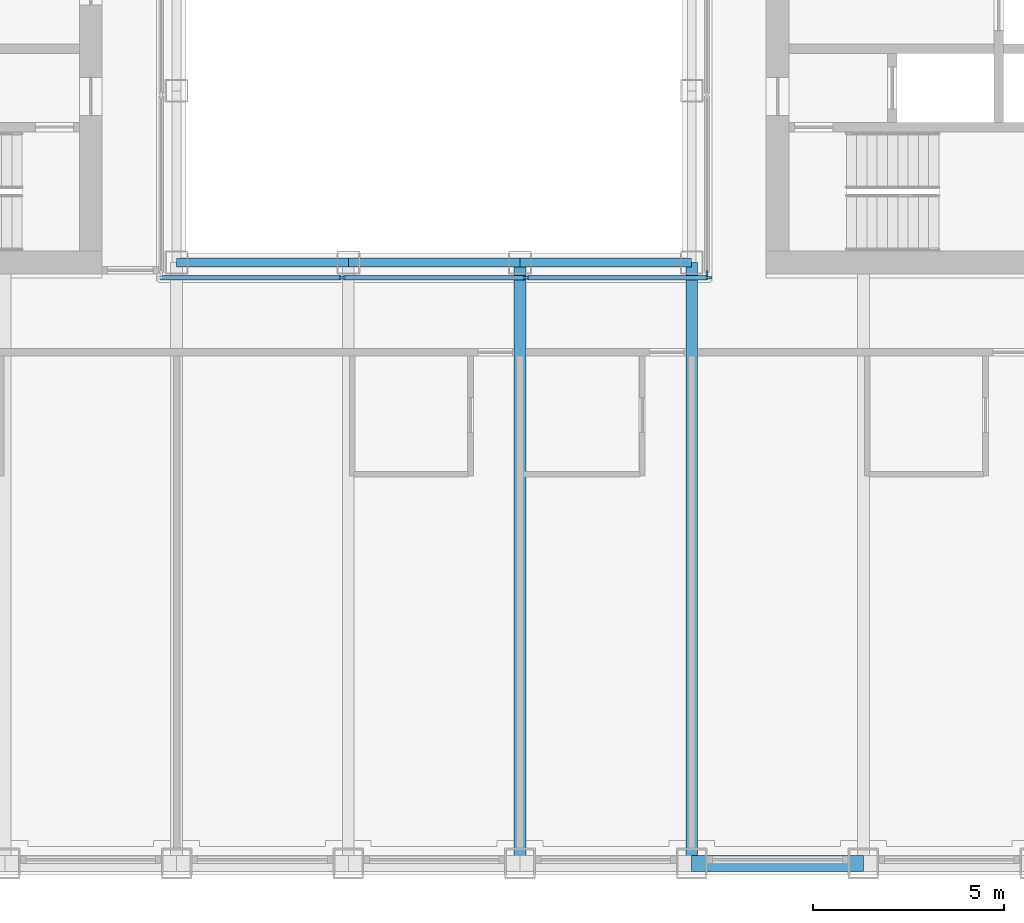
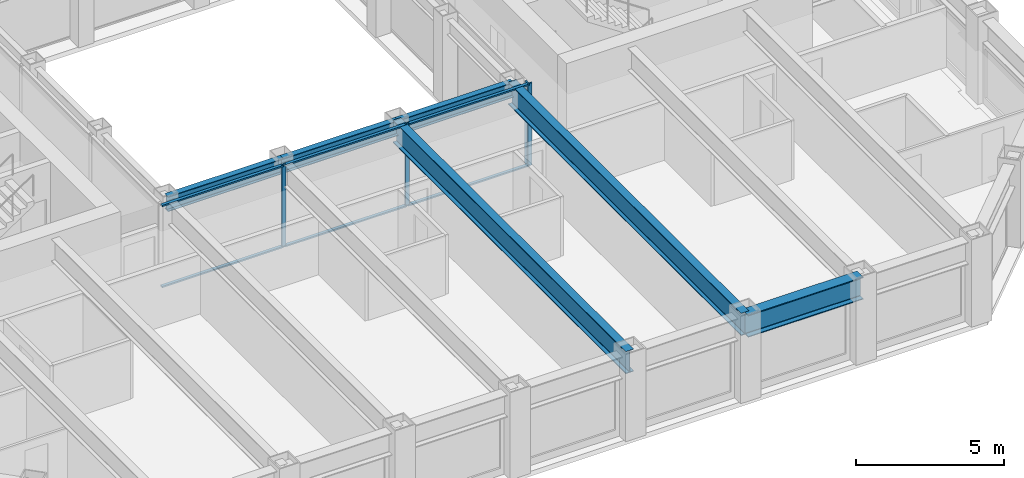
# One storey, part 3 of 17: 10 members, 6 beams, 2 elements without a shape of their own.
"""IFC4 building model written with IfcOpenShell, lengths in metres."""

import ifcopenshell
import ifcopenshell.guid

model = None  # the IFC model being written
_history = None  # IfcOwnerHistory: only IFC2X3 demands one
_inside = {}  # id of a spatial element -> (the spatial element, [elements in it])
_under = {}  # id of a project, library or spatial element -> (it, [spatial elements below it])
_declared = {}  # id of a project -> (the project, [libraries it declares])
_typed = {}  # id of a type object -> (the type object, [elements of that type])
_made_of = {}  # id of a material, layer set ... -> (it, [elements and type objects made of it])


def new_model(schema):
    """Start an empty IFC model of exactly this schema.

    Asked for "IFC4X3", IfcOpenShell would pick the latest addendum, in which some entities
    have other attributes; the version numbers below select the first issue.
    IFC2X3 requires an IfcOwnerHistory on every rooted entity: one is made here for all.
    """
    global model, _history
    if schema == "IFC4X3":
        model = ifcopenshell.file(schema_version=(4, 3, 0, 0))
    else:
        model = ifcopenshell.file(schema=schema)
    _inside.clear()
    _under.clear()
    _declared.clear()
    _typed.clear()
    _made_of.clear()
    _history = None
    if model.schema == "IFC2X3":
        org = make("IfcOrganization", Name="unknown")
        user = make(
            "IfcPersonAndOrganization",
            ThePerson=make("IfcPerson", FamilyName="unknown"),
            TheOrganization=org,
        )
        app = make(
            "IfcApplication",
            ApplicationDeveloper=org,
            Version="unknown",
            ApplicationFullName="unknown",
            ApplicationIdentifier="unknown",
        )
        _history = make(
            "IfcOwnerHistory",
            OwningUser=user,
            OwningApplication=app,
            ChangeAction="ADDED",
            CreationDate=0,
        )
    return model


def make(cls, **values):
    """One entity of the class cls with the attributes given. An attribute that is None is left unset."""
    return model.create_entity(
        cls, **{name: value for name, value in values.items() if value is not None}
    )


def rooted(cls, **values):
    """An entity with a GlobalId (a new one), such as an element, a storey or a relation."""
    return make(cls, GlobalId=ifcopenshell.guid.new(), OwnerHistory=_history, **values)


def si_unit(unit_type, name, prefix=None):
    """IfcSIUnit, for example si_unit("LENGTHUNIT", "METRE", prefix="MILLI")."""
    return make("IfcSIUnit", UnitType=unit_type, Prefix=prefix, Name=name)


def assignment(units):
    """IfcUnitAssignment: the units of a project."""
    return None if units is None else make("IfcUnitAssignment", Units=units)


def point(xyz):
    """IfcCartesianPoint."""
    return None if xyz is None else make("IfcCartesianPoint", Coordinates=xyz)


def direction(xyz):
    """IfcDirection."""
    return None if xyz is None else make("IfcDirection", DirectionRatios=xyz)


def frame(location, z_axis=None, x_axis=None):
    """IfcAxis2Placement3D, a coordinate frame: its origin and axes. An axis left out is left unset."""
    return make(
        "IfcAxis2Placement3D",
        Location=point(location),
        Axis=direction(z_axis),
        RefDirection=direction(x_axis),
    )


def frame_2d(location, x_axis=None):
    """IfcAxis2Placement2D, a coordinate frame in the plane: its origin and x axis."""
    return make(
        "IfcAxis2Placement2D", Location=point(location), RefDirection=direction(x_axis)
    )


def origin():
    """The frame at (0, 0, 0) with its axes left unset."""
    return frame((0.0, 0.0, 0.0))


def origin_2d():
    """The frame at (0, 0) in the plane with its x axis left unset."""
    return frame_2d((0.0, 0.0))


def place(relative_to, where):
    """IfcLocalPlacement: puts the frame where relative to a parent placement (None: the world)."""
    return make(
        "IfcLocalPlacement", PlacementRelTo=relative_to, RelativePlacement=where
    )


def context(
    kind, dimensions, precision=None, world=None, true_north=None, identifier=None
):
    """IfcGeometricRepresentationContext, for example the 3D "Model" context."""
    return make(
        "IfcGeometricRepresentationContext",
        ContextIdentifier=identifier,
        ContextType=kind,
        CoordinateSpaceDimension=dimensions,
        Precision=precision,
        WorldCoordinateSystem=world,
        TrueNorth=true_north,
    )


def subcontext(parent, identifier, kind, view, scale=None):
    """IfcGeometricRepresentationSubContext, for example "Body" below "Model"."""
    return make(
        "IfcGeometricRepresentationSubContext",
        ContextIdentifier=identifier,
        ContextType=kind,
        ParentContext=parent,
        TargetScale=scale,
        TargetView=view,
    )


def project(units=None, contexts=None):
    """IfcProject with its units and contexts."""
    return rooted(
        "IfcProject",
        Name="project",
        RepresentationContexts=contexts,
        UnitsInContext=assignment(units),
    )


def spatial(cls, under=None, at=None, **own):
    """A site, building, storey or space (cls), placed at a placement, below another one or the project."""
    s = rooted(cls, ObjectPlacement=at, **own)
    if under is not None:
        _under.setdefault(under.id(), (under, []))[1].append(s)
    return s


def profile(cls, at=None, kind="AREA", **sizes):
    """A parametric profile (cls). Its sizes go by their IFC names, for example OverallWidth=200.0."""
    return make(cls, ProfileType=kind, Position=at, **sizes)


def rectangle(**sizes):
    """IfcRectangleProfileDef."""
    return profile("IfcRectangleProfileDef", **sizes)


def i_section(**sizes):
    """IfcIShapeProfileDef."""
    return profile("IfcIShapeProfileDef", **sizes)


def extrude(swept, where, along, depth):
    """IfcExtrudedAreaSolid: the profile swept, set in the frame where, extruded along a direction by depth."""
    return make(
        "IfcExtrudedAreaSolid",
        SweptArea=swept,
        Position=where,
        ExtrudedDirection=direction(along),
        Depth=depth,
    )


def shape(context_of_items, identifier, shape_type, items):
    """IfcShapeRepresentation: the items that make up one representation, for example the "Body"."""
    return make(
        "IfcShapeRepresentation",
        ContextOfItems=context_of_items,
        RepresentationIdentifier=identifier,
        RepresentationType=shape_type,
        Items=items,
    )


def material(Name=None, Category=None):
    """IfcMaterial."""
    return make("IfcMaterial", Name=Name, Category=Category)


def material_profile(
    of_material, cross_section, Name=None, Category=None, Priority=None
):
    """IfcMaterialProfile: a cross section and its material."""
    return make(
        "IfcMaterialProfile",
        Name=Name,
        Material=of_material,
        Profile=cross_section,
        Priority=Priority,
        Category=Category,
    )


def profile_set(profiles, Name=None, composite=None):
    """IfcMaterialProfileSet."""
    return make(
        "IfcMaterialProfileSet",
        Name=Name,
        MaterialProfiles=profiles,
        CompositeProfile=composite,
    )


def made_of(thing, what):
    """Note that an element or type object is made of a material, layer set ...; save() writes the relation."""
    if what is not None:
        _made_of.setdefault(what.id(), (what, []))[1].append(thing)
    return thing


def type_object(cls, material=None, **own):
    """A type object (cls), such as IfcWallType, which elements share."""
    return made_of(rooted(cls, **own), material)


def element(
    cls,
    number,
    at=None,
    inside=None,
    cuts=None,
    type_object=None,
    material=None,
    context=None,
    identifier="Body",
    shape_type=None,
    held_by="IfcProductDefinitionShape",
    body=None,
    shapes=None,
    **own,
):
    """One element of the class cls, such as IfcWall. Its Tag is "e" and its number.

    at: its placement. inside: the storey or other place that contains it. cuts: it is an
    opening in that element (IfcRelVoidsElement). A single representation is given by context,
    identifier, shape_type and body (its items); several are given by shapes. held_by: the class
    of the entity that holds the representations. save() writes the other relations.
    """
    e = rooted(cls, Tag="e%d" % number, ObjectPlacement=at, **own)
    if body is not None:
        shapes = [shape(context, identifier, shape_type, body)]
    if shapes is not None:
        e.Representation = make(held_by, Representations=shapes)
    if inside is not None:
        _inside.setdefault(inside.id(), (inside, []))[1].append(e)
    if cuts is not None:
        rooted(
            "IfcRelVoidsElement", RelatingBuildingElement=cuts, RelatedOpeningElement=e
        )
    if type_object is not None:
        _typed.setdefault(type_object.id(), (type_object, []))[1].append(e)
    return made_of(e, material)


def aggregate(whole, parts):
    """IfcRelAggregates: a whole, such as a stair, and the parts it consists of."""
    return rooted("IfcRelAggregates", RelatingObject=whole, RelatedObjects=parts)


def save(model, path):
    """Write the relations noted so far, then the file.

    IfcRelAggregates (storeys below a building ...), IfcRelContainedInSpatialStructure (elements
    in a storey), IfcRelDefinesByType, IfcRelAssociatesMaterial and IfcRelDeclares: one each for
    every whole, place, type object, material and project.
    """
    for whole, parts in _under.values():
        aggregate(whole, parts)
    for where, things in _inside.values():
        rooted(
            "IfcRelContainedInSpatialStructure",
            RelatedElements=things,
            RelatingStructure=where,
        )
    for kind, things in _typed.values():
        rooted("IfcRelDefinesByType", RelatedObjects=things, RelatingType=kind)
    for what, things in _made_of.values():
        rooted("IfcRelAssociatesMaterial", RelatedObjects=things, RelatingMaterial=what)
    for by, libraries in _declared.values():
        rooted("IfcRelDeclares", RelatingContext=by, RelatedDefinitions=libraries)
    model.write(path)


model = new_model("IFC4")

# Units and contexts
model_context = context("Model", 3, precision=1e-05, world=origin(), true_north=direction((0.0, 1.0)))
body_context = subcontext(model_context, "Body", "Model", "MODEL_VIEW")
ifc_project = project(units=[si_unit("LENGTHUNIT", "METRE"), si_unit("AREAUNIT", "SQUARE_METRE"), si_unit("VOLUMEUNIT", "CUBIC_METRE"), si_unit("PLANEANGLEUNIT", "RADIAN"), si_unit("MASSUNIT", "GRAM", prefix="KILO")], contexts=[model_context])

# Site, building, storey
site_placement = place(None, origin())
site = spatial("IfcSite", under=ifc_project, at=site_placement, CompositionType="ELEMENT")
building_placement = place(site_placement, origin())
building = spatial("IfcBuilding", under=site, at=building_placement, Name="Msasa Ring Tower", CompositionType="ELEMENT")
storey_placement = place(building_placement, frame((0.0, 0.0, 168.800048828125)))
storey = spatial("IfcBuildingStorey", under=building, at=storey_placement, Name="L44", CompositionType="ELEMENT", Elevation=168.800048828125)

# Curtain wall, members
ifc_material_1 = material(Name="Aluminium curtain wall with clear glass", Category="aluminium")
curtain_wall_type = type_object("IfcCurtainWallType", Name="CW-W LIGHT WELL CURTAIN WALL", PredefinedType="NOTDEFINED", material=ifc_material_1)
curtain_wall_1_placement = place(storey_placement, origin())
curtain_wall_1 = element("IfcCurtainWall", 1, at=curtain_wall_1_placement, inside=storey, type_object=curtain_wall_type, Name="Light well curtain wall S L44", PredefinedType="NOTDEFINED")
ifc_material_2 = material(Name="Aluminium mullion", Category="aluminium")
ifc_material_profile_1 = material_profile(ifc_material_2, rectangle(XDim=0.06005859375, YDim=0.159912109375, at=origin_2d()), Name="AL 60x160")
ifc_profile_set_1 = profile_set([ifc_material_profile_1], Name="Aluminium mullion")
member_type_1 = type_object("IfcMemberType", Name="CW-W MULLION 60x160", PredefinedType="MULLION", material=ifc_profile_set_1)
member_1_placement = place(storey_placement, frame((-2.409912109375, -7.14990234375, 0.0), z_axis=(0.0, 0.0, 1.0), x_axis=(0.0, 1.0, 0.0)))
member_1 = element("IfcMember", 2, at=member_1_placement, type_object=member_type_1, Name="CW-W mullion 2", PredefinedType="MULLION", context=body_context, shape_type="SweptSolid", body=[
    extrude(rectangle(XDim=0.06005859375, YDim=0.159912109375, at=origin_2d()), origin(), (0.0, 0.0, 1.0), 3.39990234375),
])
member_2_placement = place(storey_placement, frame((2.409912109375, -7.14990234375, 0.0), z_axis=(0.0, 0.0, 1.0), x_axis=(0.0, 1.0, 0.0)))
member_2 = element("IfcMember", 3, at=member_2_placement, type_object=member_type_1, Name="CW-W mullion 3", PredefinedType="MULLION", context=body_context, shape_type="SweptSolid", body=[
    extrude(rectangle(XDim=0.06005859375, YDim=0.159912109375, at=origin_2d()), origin(), (0.0, 0.0, 1.0), 3.39990234375),
])
member_3_placement = place(storey_placement, frame((7.199951171875, -7.14990234375, 0.0), z_axis=(0.0, 0.0, 1.0), x_axis=(0.0, 1.0, 0.0)))
member_3 = element("IfcMember", 4, at=member_3_placement, type_object=member_type_1, Name="CW-W mullion 4", PredefinedType="MULLION", context=body_context, shape_type="SweptSolid", body=[
    extrude(rectangle(XDim=0.06005859375, YDim=0.159912109375, at=origin_2d()), origin(), (0.0, 0.0, 1.0), 3.39990234375),
])

# Curtain wall, member
curtain_wall_2_placement = place(storey_placement, origin())
curtain_wall_2 = element("IfcCurtainWall", 5, at=curtain_wall_2_placement, inside=storey, type_object=curtain_wall_type, Name="Light well curtain wall E L44", PredefinedType="NOTDEFINED")
member_4_placement = place(storey_placement, frame((7.14990234375, -7.0400390625, 0.0), z_axis=(0.0, 0.0, 1.0), x_axis=(-1.0, 0.0, 0.0)))
member_4 = element("IfcMember", 6, at=member_4_placement, type_object=member_type_1, Name="CW-W mullion 1", PredefinedType="MULLION", context=body_context, shape_type="SweptSolid", body=[
    extrude(rectangle(XDim=0.06005859375, YDim=0.159912109375, at=origin_2d()), origin(), (0.0, 0.0, 1.0), 3.39990234375),
])
aggregate(curtain_wall_2, [member_4])

# Member
ifc_material_3 = material(Name="Aluminium transom", Category="aluminium")
ifc_material_profile_2 = material_profile(ifc_material_3, rectangle(XDim=0.1201171875, YDim=0.06005859375, at=origin_2d()), Name="AL 60x120")
ifc_profile_set_2 = profile_set([ifc_material_profile_2], Name="Aluminium transom")
member_type_2 = type_object("IfcMemberType", Name="CW-W TRANSOM 60x120", PredefinedType="USERDEFINED", material=ifc_profile_set_2)
member_5_placement = place(storey_placement, frame((-7.169921875, -7.14990234375, 0.030029296875), z_axis=(1.0, 0.0, 0.0), x_axis=(0.0, 1.0, 0.0)))
member_5 = element("IfcMember", 7, at=member_5_placement, type_object=member_type_2, Name="CW-W transom 1.1", ObjectType="TRANSOM", PredefinedType="USERDEFINED", context=body_context, shape_type="SweptSolid", body=[
    extrude(rectangle(XDim=0.1201171875, YDim=0.06005859375, at=origin_2d()), origin(), (0.0, 0.0, 1.0), 4.72998046875),
])

member_6_placement = place(storey_placement, frame((-7.169921875, -7.14990234375, 3.369873046875), z_axis=(1.0, 0.0, 0.0), x_axis=(0.0, 1.0, 0.0)))
member_6 = element("IfcMember", 8, at=member_6_placement, type_object=member_type_2, Name="CW-W transom 1.2", ObjectType="TRANSOM", PredefinedType="USERDEFINED", context=body_context, shape_type="SweptSolid", body=[
    extrude(rectangle(XDim=0.1201171875, YDim=0.06005859375, at=origin_2d()), origin(), (0.0, 0.0, 1.0), 4.72998046875),
])

member_7_placement = place(storey_placement, frame((-2.3798828125, -7.14990234375, 0.030029296875), z_axis=(1.0, 0.0, 0.0), x_axis=(0.0, 1.0, 0.0)))
member_7 = element("IfcMember", 9, at=member_7_placement, type_object=member_type_2, Name="CW-W transom 2.1", ObjectType="TRANSOM", PredefinedType="USERDEFINED", context=body_context, shape_type="SweptSolid", body=[
    extrude(rectangle(XDim=0.1201171875, YDim=0.06005859375, at=origin_2d()), origin(), (0.0, 0.0, 1.0), 4.759765625),
])

member_8_placement = place(storey_placement, frame((-2.3798828125, -7.14990234375, 3.369873046875), z_axis=(1.0, 0.0, 0.0), x_axis=(0.0, 1.0, 0.0)))
member_8 = element("IfcMember", 10, at=member_8_placement, type_object=member_type_2, Name="CW-W transom 2.2", ObjectType="TRANSOM", PredefinedType="USERDEFINED", context=body_context, shape_type="SweptSolid", body=[
    extrude(rectangle(XDim=0.1201171875, YDim=0.06005859375, at=origin_2d()), origin(), (0.0, 0.0, 1.0), 4.759765625),
])

member_9_placement = place(storey_placement, frame((2.43994140625, -7.14990234375, 0.030029296875), z_axis=(1.0, 0.0, 0.0), x_axis=(0.0, 1.0, 0.0)))
member_9 = element("IfcMember", 11, at=member_9_placement, type_object=member_type_2, Name="CW-W transom 3.1", ObjectType="TRANSOM", PredefinedType="USERDEFINED", context=body_context, shape_type="SweptSolid", body=[
    extrude(rectangle(XDim=0.1201171875, YDim=0.06005859375, at=origin_2d()), origin(), (0.0, 0.0, 1.0), 4.72998046875),
])

member_10_placement = place(storey_placement, frame((2.43994140625, -7.14990234375, 3.369873046875), z_axis=(1.0, 0.0, 0.0), x_axis=(0.0, 1.0, 0.0)))
member_10 = element("IfcMember", 12, at=member_10_placement, type_object=member_type_2, Name="CW-W transom 3.2", ObjectType="TRANSOM", PredefinedType="USERDEFINED", context=body_context, shape_type="SweptSolid", body=[
    extrude(rectangle(XDim=0.1201171875, YDim=0.06005859375, at=origin_2d()), origin(), (0.0, 0.0, 1.0), 4.72998046875),
])

aggregate(curtain_wall_1, [member_1, member_2, member_3, member_5, member_6, member_7, member_8, member_9, member_10])

# Beams
ifc_material_4 = material(Name="Steel S355", Category="steel")
ifc_material_profile_3 = material_profile(ifc_material_4, i_section(OverallWidth=0.3076171875, OverallDepth=0.926513671875, WebThickness=0.01953125, FlangeThickness=0.031982421875, FilletRadius=0.01904296875, at=origin_2d()), Name="UB 914x305x289")
ifc_profile_set_3 = profile_set([ifc_material_profile_3], Name="Steel S355")
beam_type_1 = type_object("IfcBeamType", Name="FB3 UB 914x305x289", PredefinedType="BEAM", material=ifc_profile_set_3)
for number, where, z_axis, x_axis, name in (
    (13, (2.25, -22.5, 2.936767578125), (0.0, 1.0, 0.0), (-1.0, 0.0, 0.0), "Floor beam S+2.25 under L45"),
    (14, (6.75, -22.5, 2.936767578125), (0.0, 1.0, 0.0), (-1.0, 0.0, 0.0), "Floor beam S+6.75 under L45"),
):
    element("IfcBeam", number, at=place(storey_placement, frame(where, z_axis=z_axis, x_axis=x_axis)), inside=storey, type_object=beam_type_1, Name=name, PredefinedType="BEAM", context=body_context, shape_type="SweptSolid", body=[
        extrude(i_section(OverallWidth=0.3076171875, OverallDepth=0.926513671875, WebThickness=0.01953125, FlangeThickness=0.031982421875, FilletRadius=0.01904296875, at=origin_2d()), origin(), (0.0, 0.0, 1.0), 15.75),
    ])
ifc_material_5 = material(Name="Steel S355", Category="steel")
ifc_material_profile_4 = material_profile(ifc_material_5, i_section(OverallWidth=0.230224609375, OverallDepth=0.6171875, WebThickness=0.01318359375, FlangeThickness=0.022216796875, FilletRadius=0.0126953125, at=origin_2d()), Name="UB 610x229x140")
ifc_profile_set_4 = profile_set([ifc_material_profile_4], Name="Steel S355")
beam_type_2 = type_object("IfcBeamType", Name="RB1 UB 610x229x140", PredefinedType="BEAM", material=ifc_profile_set_4)
for number, where, z_axis, x_axis, name in (
    (15, (-6.75, -6.75, 3.09130859375), (1.0, 0.0, 0.0), (0.0, 1.0, 0.0), "Inner ring beam IR-6.75-6.75 under L45"),
    (16, (-2.25, -6.75, 3.09130859375), (1.0, 0.0, 0.0), (0.0, 1.0, 0.0), "Inner ring beam IR-2.25-6.75 under L45"),
    (17, (2.25, -6.75, 3.09130859375), (1.0, 0.0, 0.0), (0.0, 1.0, 0.0), "Inner ring beam IR+2.25-6.75 under L45"),
):
    element("IfcBeam", number, at=place(storey_placement, frame(where, z_axis=z_axis, x_axis=x_axis)), inside=storey, type_object=beam_type_2, Name=name, PredefinedType="BEAM", context=body_context, shape_type="SweptSolid", body=[
        extrude(i_section(OverallWidth=0.230224609375, OverallDepth=0.6171875, WebThickness=0.01318359375, FlangeThickness=0.022216796875, FilletRadius=0.0126953125, at=origin_2d()), origin(), (0.0, 0.0, 1.0), 4.5),
    ])
ifc_material_6 = material(Name="Steel S355", Category="steel")
ifc_material_profile_5 = material_profile(ifc_material_6, i_section(OverallWidth=0.42041015625, OverallDepth=0.9208984375, WebThickness=0.021484375, FlangeThickness=0.03662109375, FilletRadius=0.024169921875, at=origin_2d()), Name="UB 914x419x388")
ifc_profile_set_5 = profile_set([ifc_material_profile_5], Name="Steel S355")
beam_type_3 = type_object("IfcBeamType", Name="SB1 UB 914x419x388", PredefinedType="SPANDREL", material=ifc_profile_set_5)
beam_placement = place(storey_placement, frame((6.75, -22.5, 2.939453125), z_axis=(1.0, 0.0, 0.0), x_axis=(0.0, 1.0, 0.0)))
element("IfcBeam", 18, at=beam_placement, inside=storey, type_object=beam_type_3, Name="Spandrel S+6.75 to S+11.25 under L45", PredefinedType="SPANDREL", context=body_context, shape_type="SweptSolid", body=[
    extrude(i_section(OverallWidth=0.42041015625, OverallDepth=0.9208984375, WebThickness=0.021484375, FlangeThickness=0.03662109375, FilletRadius=0.024169921875, at=origin_2d()), origin(), (0.0, 0.0, 1.0), 4.5),
])

save(model, "model.ifc")
